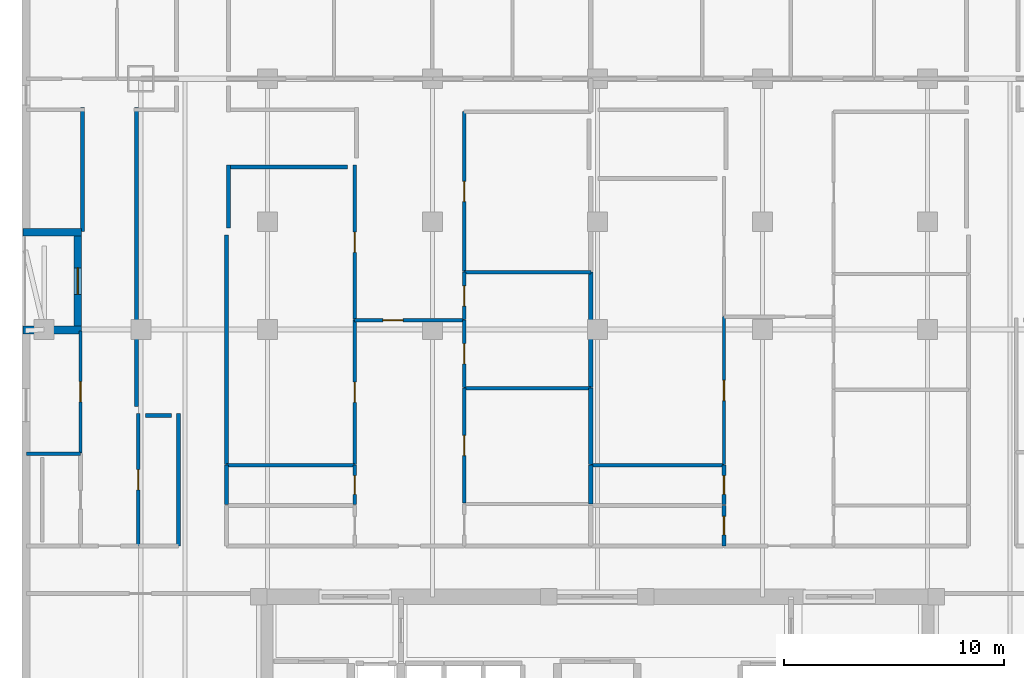
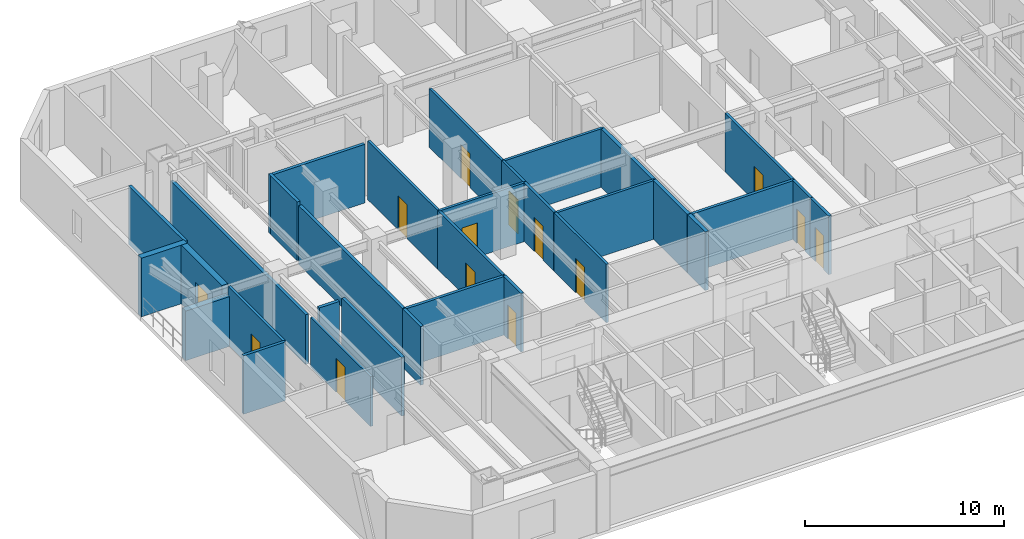
# One storey, part 4 of 10: 32 walls, 14 doors, 14 openings.
"""IFC4 building model written with IfcOpenShell, lengths in metres."""

from ifc_helpers import new_model, si_unit, direction, frame, frame_2d, origin, place, context, subcontext, project, spatial, rectangle, extrude, material, layer, layer_set, type_object, element, fill, save


model = new_model("IFC4")

# Units and contexts
model_context = context("Model", 3, precision=1e-05, world=origin(), true_north=direction((0.0, 1.0)))
body_context = subcontext(model_context, "Body", "Model", "MODEL_VIEW")
ifc_project = project(units=[si_unit("LENGTHUNIT", "METRE"), si_unit("AREAUNIT", "SQUARE_METRE"), si_unit("VOLUMEUNIT", "CUBIC_METRE"), si_unit("PLANEANGLEUNIT", "RADIAN"), si_unit("MASSUNIT", "GRAM", prefix="KILO")], contexts=[model_context])

# Site, building, storey
site_placement = place(None, origin())
site = spatial("IfcSite", under=ifc_project, at=site_placement, CompositionType="ELEMENT")
building_placement = place(site_placement, origin())
building = spatial("IfcBuilding", under=site, at=building_placement, Name="Ventersveld Concourse Tower", CompositionType="ELEMENT")
storey_placement = place(building_placement, frame((0.0, 0.0, 96.449951171875)))
storey = spatial("IfcBuildingStorey", under=building, at=storey_placement, Name="L23", CompositionType="ELEMENT", Elevation=96.449951171875)

# Walls
ifc_material_1 = material(Name="Fire-rated autoclaved aerated masonry blockwork", Category="masonry")
ifc_layer_1 = layer(ifc_material_1, 0.179931640625)
ifc_layer_set_1 = layer_set([ifc_layer_1], Name="Fire-rated autoclaved aerated masonry blockwork")
wall_type_1 = type_object("IfcWallType", Name="WL-CORR-180", PredefinedType="PARTITIONING", material=ifc_layer_set_1)
wall_1_placement = place(storey_placement, frame((9.7099609375, 13.764892578125, 0.0), z_axis=(0.0, 0.0, 1.0), x_axis=(0.0, 1.0, 0.0)))
element("IfcWall", 1, at=wall_1_placement, inside=storey, type_object=wall_type_1, Name="L23 Interior Partition SP-L23-COR-SP-L23-23NW-KIT", PredefinedType="PARTITIONING", context=body_context, shape_type="SweptSolid", body=[
    extrude(rectangle(XDim=6.018798828125, YDim=0.179931640625, at=frame_2d((3.00927734375, 0.0))), origin(), (0.0, 0.0, 1.0), 3.60009765625),
])
wall_2_placement = place(storey_placement, frame((11.889892578125, 15.635009765625, 0.0), z_axis=(0.0, 0.0, 1.0), x_axis=(0.0, 1.0, 0.0)))
element("IfcWall", 2, at=wall_2_placement, inside=storey, type_object=wall_type_1, Name="L23 Interior Partition SP-L23-COR-SP-L23-23N1-PWDL0", PredefinedType="PARTITIONING", context=body_context, shape_type="SweptSolid", body=[
    extrude(rectangle(XDim=1.800048828125, YDim=0.179931640625, at=frame_2d((0.89990234375, 0.0))), origin(), (0.0, 0.0, 1.0), 3.60009765625),
])
wall_3_placement = place(storey_placement, frame((11.889892578125, 17.465087890625, 0.0), z_axis=(0.0, 0.0, 1.0), x_axis=(0.0, 1.0, 0.0)))
element("IfcWall", 3, at=wall_3_placement, inside=storey, type_object=wall_type_1, Name="L23 Interior Partition SP-L23-COR-SP-L23-23N1-DENL", PredefinedType="PARTITIONING", context=body_context, shape_type="SweptSolid", body=[
    extrude(rectangle(XDim=10.429931640625, YDim=0.179931640625, at=frame_2d((5.21484375, 0.0))), origin(), (0.0, 0.0, 1.0), 3.60009765625),
])
wall_4_placement = place(storey_placement, frame((5.346923828125, 28.053466796875, 0.0), z_axis=(0.0, 0.0, 1.0), x_axis=(0.0, 1.0, 0.0)))
element("IfcWall", 4, at=wall_4_placement, inside=storey, type_object=wall_type_1, Name="L23 Room Enclosure Wall SP-L23-23NW-LIV", PredefinedType="PARTITIONING", context=body_context, shape_type="SweptSolid", body=[
    extrude(rectangle(XDim=5.631591796875, YDim=0.179931640625, at=frame_2d((2.81591796875, 0.0))), origin(), (0.0, 0.0, 1.0), 3.60009765625),
])
wall_5_placement = place(storey_placement, frame((7.79296875, 33.68505859375, 0.0), z_axis=(0.0, 0.0, 1.0), x_axis=(0.0, -1.0, 0.0)))
element("IfcWall", 5, at=wall_5_placement, inside=storey, type_object=wall_type_1, Name="L23 Room Enclosure Wall SP-L23-23NW-LIV", PredefinedType="PARTITIONING", context=body_context, shape_type="SweptSolid", body=[
    extrude(rectangle(XDim=13.58642578125, YDim=0.179931640625, at=frame_2d((6.793212890625, 0.0))), origin(), (0.0, 0.0, 1.0), 3.0556640625),
])
wall_6_placement = place(storey_placement, frame((8.2080078125, 19.688720703125, 0.0), z_axis=(0.0, 0.0, 1.0), x_axis=(1.0, 0.0, 0.0)))
element("IfcWall", 6, at=wall_6_placement, inside=storey, type_object=wall_type_1, Name="L23 Room Enclosure Wall SP-L23-23NW-KIT", PredefinedType="PARTITIONING", context=body_context, shape_type="SweptSolid", body=[
    extrude(rectangle(XDim=1.177001953125, YDim=0.179931640625, at=frame_2d((0.58837890625, 0.0))), origin(), (0.0, 0.0, 1.0), 3.60009765625),
])
wall_7_placement = place(storey_placement, frame((11.885009765625, 30.98193359375, 0.0), z_axis=(0.0, 0.0, 1.0), x_axis=(1.0, 0.0, 0.0)))
element("IfcWall", 7, at=wall_7_placement, inside=storey, type_object=wall_type_1, Name="L23 Room Enclosure Wall SP-L23-23N1-DENL", PredefinedType="PARTITIONING", context=body_context, shape_type="SweptSolid", body=[
    extrude(rectangle(XDim=5.50537109375, YDim=0.179931640625, at=frame_2d((2.752685546875, 0.0))), origin(), (0.0, 0.0, 1.0), 3.60009765625),
])
wall_8_placement = place(storey_placement, frame((11.97998046875, 28.2099609375, 0.0), z_axis=(0.0, 0.0, 1.0), x_axis=(0.0, 1.0, 0.0)))
element("IfcWall", 8, at=wall_8_placement, inside=storey, type_object=wall_type_1, Name="L23 Room Enclosure Wall SP-L23-23N1-DENL", PredefinedType="PARTITIONING", context=body_context, shape_type="SweptSolid", body=[
    extrude(rectangle(XDim=2.866943359375, YDim=0.179931640625, at=frame_2d((1.43359375, 0.0))), origin(), (0.0, 0.0, 1.0), 3.60009765625),
])
ifc_layer_2 = layer(ifc_material_1, 0.199951171875)
ifc_layer_set_2 = layer_set([ifc_layer_2], Name="Fire-rated autoclaved aerated masonry blockwork")
wall_type_2 = type_object("IfcWallType", Name="WL-DEMISE-200", PredefinedType="PARTITIONING", material=ifc_layer_set_2)
wall_9_placement = place(storey_placement, frame((28.452880859375, 15.666259765625, 0.0), z_axis=(0.0, 0.0, 1.0), x_axis=(0.0, 1.0, 0.0)))
element("IfcWall", 9, at=wall_9_placement, inside=storey, type_object=wall_type_2, Name="L23 Interior Partition SP-L23-23N1-DENR-SP-L23-23N2-PWDL0", PredefinedType="PARTITIONING", context=body_context, shape_type="SweptSolid", body=[
    extrude(rectangle(XDim=1.768798828125, YDim=0.199951171875, at=frame_2d((0.88427734375, 0.0))), origin(), (0.0, 0.0, 1.0), 3.60009765625),
])
wall_10_placement = place(storey_placement, frame((28.452880859375, 17.465087890625, 0.0), z_axis=(0.0, 0.0, 1.0), x_axis=(0.0, 1.0, 0.0)))
element("IfcWall", 10, at=wall_10_placement, inside=storey, type_object=wall_type_2, Name="L23 Interior Partition SP-L23-23N1-DENR-SP-L23-23N2-DENL", PredefinedType="PARTITIONING", context=body_context, shape_type="SweptSolid", body=[
    extrude(rectangle(XDim=3.474853515625, YDim=0.199951171875, at=frame_2d((1.7373046875, 0.0))), origin(), (0.0, 0.0, 1.0), 3.60009765625),
])
wall_11_placement = place(storey_placement, frame((28.452880859375, 20.969970703125, 0.0), z_axis=(0.0, 0.0, 1.0), x_axis=(0.0, 1.0, 0.0)))
element("IfcWall", 11, at=wall_11_placement, inside=storey, type_object=wall_type_2, Name="L23 Interior Partition SP-L23-23N1-DENS-SP-L23-23N2-DENL", PredefinedType="PARTITIONING", context=body_context, shape_type="SweptSolid", body=[
    extrude(rectangle(XDim=5.233642578125, YDim=0.199951171875, at=frame_2d((2.61669921875, 0.0))), origin(), (0.0, 0.0, 1.0), 3.60009765625),
])

# Wall, opening, door
ifc_material_2 = material(Name="Autoclaved aerated masonry blockwork", Category="masonry")
ifc_layer_3 = layer(ifc_material_2, 0.14990234375)
ifc_layer_set_3 = layer_set([ifc_layer_3], Name="Autoclaved aerated masonry blockwork")
wall_type_3 = type_object("IfcWallType", Name="WL-INT-150", PredefinedType="PARTITIONING", material=ifc_layer_set_3)
wall_12_placement = place(storey_placement, frame((5.257080078125, 17.9921875, 0.0), z_axis=(0.0, 0.0, 1.0), x_axis=(0.0, 1.0, 0.0)))
wall_12 = element("IfcWall", 12, at=wall_12_placement, inside=storey, type_object=wall_type_3, Name="L23 Interior Partition SP-L23-23NW-LIV-SP-L23-23NW-PANL0", PredefinedType="PARTITIONING", context=body_context, shape_type="SweptSolid", body=[
    extrude(rectangle(XDim=5.5478515625, YDim=0.14990234375, at=frame_2d((2.77392578125, 0.0))), origin(), (0.0, 0.0, 1.0), 3.60009765625),
])
opening_1_placement = place(wall_12_placement, frame((2.313720703125, 0.0, 0.0)))
opening_1 = element("IfcOpeningElement", 13, at=opening_1_placement, cuts=wall_12, Name="Opening ID1", PredefinedType="OPENING", context=body_context, shape_type="SweptSolid", body=[
    extrude(rectangle(XDim=0.919921875, YDim=2.10009765625, at=frame_2d((0.4599609375, 1.050048828125))), frame((0.0, 0.0849609375, 0.0), z_axis=(0.0, -1.0, 0.0), x_axis=(1.0, 0.0, 0.0)), (0.0, 0.0, 1.0), 0.169921875),
])
ifc_material_3 = material(Name="Solid-core hardwood veneer timber", Category="wood")
door_type_1 = type_object("IfcDoorType", Name="DR-ROOM-092", OperationType="NOTDEFINED", PredefinedType="DOOR", material=ifc_material_3)
door_1_placement = place(opening_1_placement, origin())
door_1 = element("IfcDoor", 14, at=door_1_placement, inside=storey, type_object=door_type_1, Name="L23 Interior Door SP-L23-23NW-LIV to SP-L23-23NW-PANL0 (D-L23-1123)", OperationType="SINGLE_SWING_LEFT", OverallHeight=2.10009765625, OverallWidth=0.919921875, PredefinedType="DOOR", context=body_context, shape_type="SweptSolid", body=[
    extrude(rectangle(XDim=0.919921875, YDim=2.10009765625, at=frame_2d((0.4599609375, 1.050048828125))), frame((0.0, 0.02490234375, 0.0), z_axis=(0.0, -1.0, 0.0), x_axis=(1.0, 0.0, 0.0)), (0.0, 0.0, 1.0), 0.050048828125),
])
fill(opening_1, door_1)

wall_13_placement = place(storey_placement, frame((7.883056640625, 13.764892578125, 0.0), z_axis=(0.0, 0.0, 1.0), x_axis=(0.0, 1.0, 0.0)))
wall_13 = element("IfcWall", 15, at=wall_13_placement, inside=storey, type_object=wall_type_3, Name="L23 Interior Partition SP-L23-23NW-LIV-SP-L23-23NW-KIT", PredefinedType="PARTITIONING", context=body_context, shape_type="SweptSolid", body=[
    extrude(rectangle(XDim=6.018798828125, YDim=0.14990234375, at=frame_2d((3.00927734375, 0.0))), origin(), (0.0, 0.0, 1.0), 3.0556640625),
])
opening_2_placement = place(wall_13_placement, frame((2.54931640625, 0.0, 0.0)))
opening_2 = element("IfcOpeningElement", 16, at=opening_2_placement, cuts=wall_13, Name="Opening ID1", PredefinedType="OPENING", context=body_context, shape_type="SweptSolid", body=[
    extrude(rectangle(XDim=0.919921875, YDim=2.10009765625, at=frame_2d((0.4599609375, 1.050048828125))), frame((0.0, 0.0849609375, 0.0), z_axis=(0.0, -1.0, 0.0), x_axis=(1.0, 0.0, 0.0)), (0.0, 0.0, 1.0), 0.169921875),
])
door_2_placement = place(opening_2_placement, origin())
door_2 = element("IfcDoor", 17, at=door_2_placement, inside=storey, type_object=door_type_1, Name="L23 Interior Door SP-L23-23NW-LIV to SP-L23-23NW-KIT (D-L23-1124)", OperationType="SINGLE_SWING_RIGHT", OverallHeight=2.10009765625, OverallWidth=0.919921875, PredefinedType="DOOR", context=body_context, shape_type="SweptSolid", body=[
    extrude(rectangle(XDim=0.919921875, YDim=2.10009765625, at=frame_2d((0.4599609375, 1.050048828125))), frame((0.0, 0.02490234375, 0.0), z_axis=(0.0, -1.0, 0.0), x_axis=(1.0, 0.0, 0.0)), (0.0, 0.0, 1.0), 0.050048828125),
])
fill(opening_2, door_2)

wall_14_placement = place(storey_placement, frame((17.71044921875, 24.0185546875, 0.0), z_axis=(0.0, 0.0, 1.0), x_axis=(1.0, 0.0, 0.0)))
wall_14 = element("IfcWall", 18, at=wall_14_placement, inside=storey, type_object=wall_type_3, Name="L23 Interior Partition SP-L23-23N1-FOY-SP-L23-23N1-LIV", PredefinedType="PARTITIONING", context=body_context, shape_type="SweptSolid", body=[
    extrude(rectangle(XDim=4.989990234375, YDim=0.14990234375, at=frame_2d((2.4951171875, 0.0))), origin(), (0.0, 0.0, 1.0), 3.60009765625),
])
opening_3_placement = place(wall_14_placement, frame((1.28662109375, 0.0, 0.0)))
opening_3 = element("IfcOpeningElement", 19, at=opening_3_placement, cuts=wall_14, Name="Opening ID1", PredefinedType="OPENING", context=body_context, shape_type="SweptSolid", body=[
    extrude(rectangle(XDim=0.919921875, YDim=2.10009765625, at=frame_2d((0.4599609375, 1.050048828125))), frame((0.0, 0.0849609375, 0.0), z_axis=(0.0, -1.0, 0.0), x_axis=(1.0, 0.0, 0.0)), (0.0, 0.0, 1.0), 0.169921875),
])
door_3_placement = place(opening_3_placement, origin())
door_3 = element("IfcDoor", 20, at=door_3_placement, inside=storey, type_object=door_type_1, Name="L23 Interior Door SP-L23-23N1-FOY to SP-L23-23N1-LIV (D-L23-1132)", OperationType="SINGLE_SWING_RIGHT", OverallHeight=2.10009765625, OverallWidth=0.919921875, PredefinedType="DOOR", context=body_context, shape_type="SweptSolid", body=[
    extrude(rectangle(XDim=0.919921875, YDim=2.10009765625, at=frame_2d((0.4599609375, 1.050048828125))), frame((0.0, 0.02490234375, 0.0), z_axis=(0.0, -1.0, 0.0), x_axis=(1.0, 0.0, 0.0)), (0.0, 0.0, 1.0), 0.050048828125),
])
fill(opening_3, door_3)

wall_15_placement = place(storey_placement, frame((17.715576171875, 17.465087890625, 0.0), z_axis=(0.0, 0.0, 1.0), x_axis=(0.0, 1.0, 0.0)))
wall_15 = element("IfcWall", 21, at=wall_15_placement, inside=storey, type_object=wall_type_3, Name="L23 Interior Partition SP-L23-23N1-FOY-SP-L23-23N1-DENL", PredefinedType="PARTITIONING", context=body_context, shape_type="SweptSolid", body=[
    extrude(rectangle(XDim=6.55859375, YDim=0.14990234375, at=frame_2d((3.279296875, 0.0))), origin(), (0.0, 0.0, 1.0), 3.60009765625),
])
opening_4_placement = place(wall_15_placement, frame((2.8193359375, 0.0, 0.0)))
opening_4 = element("IfcOpeningElement", 22, at=opening_4_placement, cuts=wall_15, Name="Opening ID1", PredefinedType="OPENING", context=body_context, shape_type="SweptSolid", body=[
    extrude(rectangle(XDim=0.919921875, YDim=2.10009765625, at=frame_2d((0.4599609375, 1.050048828125))), frame((0.0, 0.0849609375, 0.0), z_axis=(0.0, -1.0, 0.0), x_axis=(1.0, 0.0, 0.0)), (0.0, 0.0, 1.0), 0.169921875),
])
door_4_placement = place(opening_4_placement, origin())
door_4 = element("IfcDoor", 23, at=door_4_placement, inside=storey, type_object=door_type_1, Name="L23 Interior Door SP-L23-23N1-FOY to SP-L23-23N1-DENL (D-L23-1135)", OperationType="SINGLE_SWING_LEFT", OverallHeight=2.10009765625, OverallWidth=0.919921875, PredefinedType="DOOR", context=body_context, shape_type="SweptSolid", body=[
    extrude(rectangle(XDim=0.919921875, YDim=2.10009765625, at=frame_2d((0.4599609375, 1.050048828125))), frame((0.0, 0.02490234375, 0.0), z_axis=(0.0, -1.0, 0.0), x_axis=(1.0, 0.0, 0.0)), (0.0, 0.0, 1.0), 0.050048828125),
])
fill(opening_4, door_4)

wall_16_placement = place(storey_placement, frame((22.695556640625, 15.706298828125, 0.0), z_axis=(0.0, 0.0, 1.0), x_axis=(0.0, 1.0, 0.0)))
wall_16 = element("IfcWall", 24, at=wall_16_placement, inside=storey, type_object=wall_type_3, Name="L23 Interior Partition SP-L23-23N1-FOY-SP-L23-23N1-DENR", PredefinedType="PARTITIONING", context=body_context, shape_type="SweptSolid", body=[
    extrude(rectangle(XDim=5.233642578125, YDim=0.14990234375, at=frame_2d((2.61669921875, 0.0))), origin(), (0.0, 0.0, 1.0), 3.60009765625),
])
opening_5_placement = place(wall_16_placement, frame((2.156982421875, 0.0, 0.0)))
opening_5 = element("IfcOpeningElement", 25, at=opening_5_placement, cuts=wall_16, Name="Opening ID1", PredefinedType="OPENING", context=body_context, shape_type="SweptSolid", body=[
    extrude(rectangle(XDim=0.919921875, YDim=2.10009765625, at=frame_2d((0.4599609375, 1.050048828125))), frame((0.0, 0.0849609375, 0.0), z_axis=(0.0, -1.0, 0.0), x_axis=(1.0, 0.0, 0.0)), (0.0, 0.0, 1.0), 0.169921875),
])
door_5_placement = place(opening_5_placement, origin())
door_5 = element("IfcDoor", 26, at=door_5_placement, inside=storey, type_object=door_type_1, Name="L23 Interior Door SP-L23-23N1-FOY to SP-L23-23N1-DENR (D-L23-1137)", OperationType="SINGLE_SWING_LEFT", OverallHeight=2.10009765625, OverallWidth=0.919921875, PredefinedType="DOOR", context=body_context, shape_type="SweptSolid", body=[
    extrude(rectangle(XDim=0.919921875, YDim=2.10009765625, at=frame_2d((0.4599609375, 1.050048828125))), frame((0.0, 0.02490234375, 0.0), z_axis=(0.0, -1.0, 0.0), x_axis=(1.0, 0.0, 0.0)), (0.0, 0.0, 1.0), 0.050048828125),
])
fill(opening_5, door_5)

wall_17_placement = place(storey_placement, frame((22.695556640625, 20.969970703125, 0.0), z_axis=(0.0, 0.0, 1.0), x_axis=(0.0, 1.0, 0.0)))
wall_17 = element("IfcWall", 27, at=wall_17_placement, inside=storey, type_object=wall_type_3, Name="L23 Interior Partition SP-L23-23N1-FOY-SP-L23-23N1-DENS", PredefinedType="PARTITIONING", context=body_context, shape_type="SweptSolid", body=[
    extrude(rectangle(XDim=3.0537109375, YDim=0.14990234375, at=frame_2d((1.52685546875, 0.0))), origin(), (0.0, 0.0, 1.0), 3.60009765625),
])
opening_6_placement = place(wall_17_placement, frame((1.06689453125, 0.0, 0.0)))
opening_6 = element("IfcOpeningElement", 28, at=opening_6_placement, cuts=wall_17, Name="Opening ID1", PredefinedType="OPENING", context=body_context, shape_type="SweptSolid", body=[
    extrude(rectangle(XDim=0.919921875, YDim=2.10009765625, at=frame_2d((0.4599609375, 1.050048828125))), frame((0.0, 0.0849609375, 0.0), z_axis=(0.0, -1.0, 0.0), x_axis=(1.0, 0.0, 0.0)), (0.0, 0.0, 1.0), 0.169921875),
])
door_6_placement = place(opening_6_placement, origin())
door_6 = element("IfcDoor", 29, at=door_6_placement, inside=storey, type_object=door_type_1, Name="L23 Interior Door SP-L23-23N1-FOY to SP-L23-23N1-DENS (D-L23-1138)", OperationType="SINGLE_SWING_RIGHT", OverallHeight=2.10009765625, OverallWidth=0.919921875, PredefinedType="DOOR", context=body_context, shape_type="SweptSolid", body=[
    extrude(rectangle(XDim=0.919921875, YDim=2.10009765625, at=frame_2d((0.4599609375, 1.050048828125))), frame((0.0, 0.02490234375, 0.0), z_axis=(0.0, -1.0, 0.0), x_axis=(1.0, 0.0, 0.0)), (0.0, 0.0, 1.0), 0.050048828125),
])
fill(opening_6, door_6)

wall_18_placement = place(storey_placement, frame((17.715576171875, 24.0537109375, 0.0), z_axis=(0.0, 0.0, 1.0), x_axis=(0.0, 1.0, 0.0)))
wall_18 = element("IfcWall", 30, at=wall_18_placement, inside=storey, type_object=wall_type_3, Name="L23 Interior Partition SP-L23-23N1-LIV-SP-L23-23N1-DENL", PredefinedType="PARTITIONING", context=body_context, shape_type="SweptSolid", body=[
    extrude(rectangle(XDim=7.023193359375, YDim=0.14990234375, at=frame_2d((3.51171875, 0.0))), origin(), (0.0, 0.0, 1.0), 3.60009765625),
])
opening_7_placement = place(wall_18_placement, frame((3.0517578125, 0.0, 0.0)))
opening_7 = element("IfcOpeningElement", 31, at=opening_7_placement, cuts=wall_18, Name="Opening ID1", PredefinedType="OPENING", context=body_context, shape_type="SweptSolid", body=[
    extrude(rectangle(XDim=0.919921875, YDim=2.10009765625, at=frame_2d((0.4599609375, 1.050048828125))), frame((0.0, 0.0849609375, 0.0), z_axis=(0.0, -1.0, 0.0), x_axis=(1.0, 0.0, 0.0)), (0.0, 0.0, 1.0), 0.169921875),
])
door_7_placement = place(opening_7_placement, origin())
door_7 = element("IfcDoor", 32, at=door_7_placement, inside=storey, type_object=door_type_1, Name="L23 Interior Door SP-L23-23N1-LIV to SP-L23-23N1-DENL (D-L23-1139)", OperationType="SINGLE_SWING_LEFT", OverallHeight=2.10009765625, OverallWidth=0.919921875, PredefinedType="DOOR", context=body_context, shape_type="SweptSolid", body=[
    extrude(rectangle(XDim=0.919921875, YDim=2.10009765625, at=frame_2d((0.4599609375, 1.050048828125))), frame((0.0, 0.02490234375, 0.0), z_axis=(0.0, -1.0, 0.0), x_axis=(1.0, 0.0, 0.0)), (0.0, 0.0, 1.0), 0.050048828125),
])
fill(opening_7, door_7)

wall_19_placement = place(storey_placement, frame((22.695556640625, 24.0537109375, 0.0), z_axis=(0.0, 0.0, 1.0), x_axis=(0.0, 1.0, 0.0)))
wall_19 = element("IfcWall", 33, at=wall_19_placement, inside=storey, type_object=wall_type_3, Name="L23 Interior Partition SP-L23-23N1-LIV-SP-L23-23N1-DENS", PredefinedType="PARTITIONING", context=body_context, shape_type="SweptSolid", body=[
    extrude(rectangle(XDim=2.14990234375, YDim=0.14990234375, at=frame_2d((1.074951171875, 0.0))), origin(), (0.0, 0.0, 1.0), 3.60009765625),
])
opening_8_placement = place(wall_19_placement, frame((0.614990234375, 0.0, 0.0)))
opening_8 = element("IfcOpeningElement", 34, at=opening_8_placement, cuts=wall_19, Name="Opening ID1", PredefinedType="OPENING", context=body_context, shape_type="SweptSolid", body=[
    extrude(rectangle(XDim=0.919921875, YDim=2.10009765625, at=frame_2d((0.4599609375, 1.050048828125))), frame((0.0, 0.0849609375, 0.0), z_axis=(0.0, -1.0, 0.0), x_axis=(1.0, 0.0, 0.0)), (0.0, 0.0, 1.0), 0.169921875),
])
door_8_placement = place(opening_8_placement, origin())
door_8 = element("IfcDoor", 35, at=door_8_placement, inside=storey, type_object=door_type_1, Name="L23 Interior Door SP-L23-23N1-LIV to SP-L23-23N1-DENS (D-L23-1140)", OperationType="SINGLE_SWING_RIGHT", OverallHeight=2.10009765625, OverallWidth=0.919921875, PredefinedType="DOOR", context=body_context, shape_type="SweptSolid", body=[
    extrude(rectangle(XDim=0.919921875, YDim=2.10009765625, at=frame_2d((0.4599609375, 1.050048828125))), frame((0.0, 0.02490234375, 0.0), z_axis=(0.0, -1.0, 0.0), x_axis=(1.0, 0.0, 0.0)), (0.0, 0.0, 1.0), 0.050048828125),
])
fill(opening_8, door_8)

wall_20_placement = place(storey_placement, frame((22.695556640625, 26.233642578125, 0.0), z_axis=(0.0, 0.0, 1.0), x_axis=(0.0, 1.0, 0.0)))
wall_20 = element("IfcWall", 36, at=wall_20_placement, inside=storey, type_object=wall_type_3, Name="L23 Interior Partition SP-L23-23N1-LIV-SP-L23-23N1-DENS2", PredefinedType="PARTITIONING", context=body_context, shape_type="SweptSolid", body=[
    extrude(rectangle(XDim=7.271240234375, YDim=0.14990234375, at=frame_2d((3.6357421875, 0.0))), origin(), (0.0, 0.0, 1.0), 3.60009765625),
])
opening_9_placement = place(wall_20_placement, frame((3.17578125, 0.0, 0.0)))
opening_9 = element("IfcOpeningElement", 37, at=opening_9_placement, cuts=wall_20, Name="Opening ID1", PredefinedType="OPENING", context=body_context, shape_type="SweptSolid", body=[
    extrude(rectangle(XDim=0.919921875, YDim=2.10009765625, at=frame_2d((0.4599609375, 1.050048828125))), frame((0.0, 0.0849609375, 0.0), z_axis=(0.0, -1.0, 0.0), x_axis=(1.0, 0.0, 0.0)), (0.0, 0.0, 1.0), 0.169921875),
])
door_9_placement = place(opening_9_placement, origin())
door_9 = element("IfcDoor", 38, at=door_9_placement, inside=storey, type_object=door_type_1, Name="L23 Interior Door SP-L23-23N1-LIV to SP-L23-23N1-DENS2 (D-L23-1141)", OperationType="SINGLE_SWING_LEFT", OverallHeight=2.10009765625, OverallWidth=0.919921875, PredefinedType="DOOR", context=body_context, shape_type="SweptSolid", body=[
    extrude(rectangle(XDim=0.919921875, YDim=2.10009765625, at=frame_2d((0.4599609375, 1.050048828125))), frame((0.0, 0.02490234375, 0.0), z_axis=(0.0, -1.0, 0.0), x_axis=(1.0, 0.0, 0.0)), (0.0, 0.0, 1.0), 0.050048828125),
])
fill(opening_9, door_9)

# Walls
for number, where, z_axis, x_axis, name in (
    (39, (22.6904296875, 20.934814453125, 0.0), (0.0, 0.0, 1.0), (1.0, 0.0, 0.0), "L23 Interior Partition SP-L23-23N1-DENR-SP-L23-23N1-DENS"),
    (40, (22.6904296875, 26.198486328125, 0.0), (0.0, 0.0, 1.0), (1.0, 0.0, 0.0), "L23 Interior Partition SP-L23-23N1-DENS-SP-L23-23N1-DENS2"),
):
    element("IfcWall", number, at=place(storey_placement, frame(where, z_axis=z_axis, x_axis=x_axis)), inside=storey, type_object=wall_type_3, Name=name, PredefinedType="PARTITIONING", context=body_context, shape_type="SweptSolid", body=[
        extrude(rectangle(XDim=5.767578125, YDim=0.14990234375, at=frame_2d((2.8837890625, 0.0))), origin(), (0.0, 0.0, 1.0), 3.60009765625),
    ])

# Wall, opening, door
wall_21_placement = place(storey_placement, frame((34.506103515625, 17.465087890625, 0.0), z_axis=(0.0, 0.0, 1.0), x_axis=(0.0, 1.0, 0.0)))
wall_21 = element("IfcWall", 41, at=wall_21_placement, inside=storey, type_object=wall_type_3, Name="L23 Interior Partition SP-L23-23N2-FOY-SP-L23-23N2-DENL", PredefinedType="PARTITIONING", context=body_context, shape_type="SweptSolid", body=[
    extrude(rectangle(XDim=6.721923828125, YDim=0.14990234375, at=frame_2d((3.36083984375, 0.0))), origin(), (0.0, 0.0, 1.0), 3.60009765625),
])
opening_10_placement = place(wall_21_placement, frame((2.90087890625, 0.0, 0.0)))
opening_10 = element("IfcOpeningElement", 42, at=opening_10_placement, cuts=wall_21, Name="Opening ID1", PredefinedType="OPENING", context=body_context, shape_type="SweptSolid", body=[
    extrude(rectangle(XDim=0.919921875, YDim=2.10009765625, at=frame_2d((0.4599609375, 1.050048828125))), frame((0.0, 0.0849609375, 0.0), z_axis=(0.0, -1.0, 0.0), x_axis=(1.0, 0.0, 0.0)), (0.0, 0.0, 1.0), 0.169921875),
])
door_10_placement = place(opening_10_placement, origin())
door_10 = element("IfcDoor", 43, at=door_10_placement, inside=storey, type_object=door_type_1, Name="L23 Interior Door SP-L23-23N2-FOY to SP-L23-23N2-DENL (D-L23-1149)", OperationType="SINGLE_SWING_LEFT", OverallHeight=2.10009765625, OverallWidth=0.919921875, PredefinedType="DOOR", context=body_context, shape_type="SweptSolid", body=[
    extrude(rectangle(XDim=0.919921875, YDim=2.10009765625, at=frame_2d((0.4599609375, 1.050048828125))), frame((0.0, 0.02490234375, 0.0), z_axis=(0.0, -1.0, 0.0), x_axis=(1.0, 0.0, 0.0)), (0.0, 0.0, 1.0), 0.050048828125),
])
fill(opening_10, door_10)

# Wall
ifc_material_4 = material(Name="Precast concrete C45/55", Category="concrete")
ifc_layer_4 = layer(ifc_material_4, 0.35009765625)
ifc_layer_set_4 = layer_set([ifc_layer_4], Name="Precast concrete C45/55")
wall_type_4 = type_object("IfcWallType", Name="WL-PREC-350", PredefinedType="SOLIDWALL", material=ifc_layer_set_4)
wall_22_placement = place(storey_placement, frame((2.639892578125, 28.02490234375, 0.0), z_axis=(0.0, 0.0, 1.0), x_axis=(1.0, 0.0, 0.0)))
element("IfcWall", 44, at=wall_22_placement, inside=storey, type_object=wall_type_4, Name="L23 Highveld Precast Facade Wall E12", PredefinedType="SOLIDWALL", context=body_context, shape_type="SweptSolid", body=[
    extrude(rectangle(XDim=2.66015625, YDim=0.35009765625, at=frame_2d((1.330078125, 0.0))), origin(), (0.0, 0.0, 1.0), 3.60009765625),
])

# Wall, opening, door
wall_23_placement = place(storey_placement, frame((5.125, 27.85009765625, 0.0), z_axis=(0.0, 0.0, 1.0), x_axis=(0.0, -1.0, 0.0)))
wall_23 = element("IfcWall", 45, at=wall_23_placement, inside=storey, type_object=wall_type_4, Name="L23 Highveld Precast Facade Wall E13", PredefinedType="SOLIDWALL", context=body_context, shape_type="SweptSolid", body=[
    extrude(rectangle(XDim=4.10009765625, YDim=0.35009765625, at=frame_2d((2.050048828125, 0.0))), origin(), (0.0, 0.0, 1.0), 3.60009765625),
])
opening_11_placement = place(wall_23_placement, frame((1.449951171875, 0.0, 0.0)))
opening_11 = element("IfcOpeningElement", 46, at=opening_11_placement, cuts=wall_23, Name="Opening TD1", PredefinedType="OPENING", context=body_context, shape_type="SweptSolid", body=[
    extrude(rectangle(XDim=1.199951171875, YDim=2.199951171875, at=frame_2d((0.60009765625, 1.10009765625))), frame((0.0, 0.18505859375, 0.0), z_axis=(0.0, -1.0, 0.0), x_axis=(1.0, 0.0, 0.0)), (0.0, 0.0, 1.0), 0.3701171875),
])
ifc_material_5 = material(Name="Anodised aluminium EN AW-6063-T6", Category="aluminium")
door_type_2 = type_object("IfcDoorType", Name="DR-TERR-120", OperationType="NOTDEFINED", PredefinedType="DOOR", material=ifc_material_5)
door_11_placement = place(opening_11_placement, frame((1.199951171875, 0.0, 0.0), z_axis=(0.0, 0.0, 1.0), x_axis=(-1.0, 0.0, 0.0)))
door_11 = element("IfcDoor", 47, at=door_11_placement, inside=storey, type_object=door_type_2, Name="L23 Stepped Valley Terrace Door TD-L23-01", OperationType="SINGLE_SWING_RIGHT", OverallHeight=2.199951171875, OverallWidth=1.199951171875, PredefinedType="DOOR", context=body_context, shape_type="SweptSolid", body=[
    extrude(rectangle(XDim=1.199951171875, YDim=2.199951171875, at=frame_2d((0.60009765625, 1.10009765625))), frame((0.0, 0.02490234375, 0.0), z_axis=(0.0, -1.0, 0.0), x_axis=(1.0, 0.0, 0.0)), (0.0, 0.0, 1.0), 0.050048828125),
])
fill(opening_11, door_11)

# Walls
wall_24_placement = place(storey_placement, frame((5.300048828125, 23.574951171875, 0.0), z_axis=(0.0, 0.0, 1.0), x_axis=(-1.0, 0.0, 0.0)))
element("IfcWall", 48, at=wall_24_placement, inside=storey, type_object=wall_type_4, Name="L23 Highveld Precast Facade Wall E14", PredefinedType="SOLIDWALL", context=body_context, shape_type="SweptSolid", body=[
    extrude(rectangle(XDim=2.66015625, YDim=0.35009765625, at=frame_2d((1.330078125, 0.0))), origin(), (0.0, 0.0, 1.0), 3.0556640625),
])
ifc_layer_5 = layer(ifc_material_2, 0.1650390625)
ifc_layer_set_5 = layer_set([ifc_layer_5], Name="Autoclaved aerated masonry blockwork")
wall_type_5 = type_object("IfcWallType", Name="WL-WET-165", PredefinedType="PLUMBINGWALL", material=ifc_layer_set_5)
wall_25_placement = place(storey_placement, frame((2.81005859375, 17.957275390625, 0.0), z_axis=(0.0, 0.0, 1.0), x_axis=(1.0, 0.0, 0.0)))
element("IfcWall", 49, at=wall_25_placement, inside=storey, type_object=wall_type_5, Name="L23 Interior Partition SP-L23-23NW-BATH-SP-L23-23NW-PANL0", PredefinedType="PLUMBINGWALL", context=body_context, shape_type="SweptSolid", body=[
    extrude(rectangle(XDim=2.451904296875, YDim=0.1650390625, at=frame_2d((1.22607421875, 0.0))), origin(), (0.0, 0.0, 1.0), 3.60009765625),
])

# Wall, opening, door
wall_26_placement = place(storey_placement, frame((17.715576171875, 15.635009765625, 0.0), z_axis=(0.0, 0.0, 1.0), x_axis=(0.0, 1.0, 0.0)))
wall_26 = element("IfcWall", 50, at=wall_26_placement, inside=storey, type_object=wall_type_5, Name="L23 Interior Partition SP-L23-23N1-FOY-SP-L23-23N1-PWDL0", PredefinedType="PLUMBINGWALL", context=body_context, shape_type="SweptSolid", body=[
    extrude(rectangle(XDim=1.800048828125, YDim=0.1650390625, at=frame_2d((0.89990234375, 0.0))), origin(), (0.0, 0.0, 1.0), 3.60009765625),
])
opening_12_placement = place(wall_26_placement, frame((0.47509765625, 0.0, 0.0)))
opening_12 = element("IfcOpeningElement", 51, at=opening_12_placement, cuts=wall_26, Name="Opening ID2", PredefinedType="OPENING", context=body_context, shape_type="SweptSolid", body=[
    extrude(rectangle(XDim=0.85009765625, YDim=2.10009765625, at=frame_2d((0.425048828125, 1.050048828125))), frame((0.0, 0.092529296875, 0.0), z_axis=(0.0, -1.0, 0.0), x_axis=(1.0, 0.0, 0.0)), (0.0, 0.0, 1.0), 0.18505859375),
])
door_type_3 = type_object("IfcDoorType", Name="DR-BATH-085", OperationType="NOTDEFINED", PredefinedType="DOOR", material=ifc_material_3)
door_12_placement = place(opening_12_placement, origin())
door_12 = element("IfcDoor", 52, at=door_12_placement, inside=storey, type_object=door_type_3, Name="L23 Interior Door SP-L23-23N1-FOY to SP-L23-23N1-PWDL0 (D-L23-1134)", OperationType="SINGLE_SWING_RIGHT", OverallHeight=2.10009765625, OverallWidth=0.85009765625, PredefinedType="DOOR", context=body_context, shape_type="SweptSolid", body=[
    extrude(rectangle(XDim=0.85009765625, YDim=2.10009765625, at=frame_2d((0.425048828125, 1.050048828125))), frame((0.0, 0.02490234375, 0.0), z_axis=(0.0, -1.0, 0.0), x_axis=(1.0, 0.0, 0.0)), (0.0, 0.0, 1.0), 0.050048828125),
])
fill(opening_12, door_12)

# Wall
wall_27_placement = place(storey_placement, frame((11.885009765625, 17.429931640625, 0.0), z_axis=(0.0, 0.0, 1.0), x_axis=(1.0, 0.0, 0.0)))
element("IfcWall", 53, at=wall_27_placement, inside=storey, type_object=wall_type_5, Name="L23 Interior Partition SP-L23-23N1-PWDL0-SP-L23-23N1-DENL", PredefinedType="PLUMBINGWALL", context=body_context, shape_type="SweptSolid", body=[
    extrude(rectangle(XDim=5.83544921875, YDim=0.1650390625, at=frame_2d((2.917724609375, 0.0))), origin(), (0.0, 0.0, 1.0), 3.60009765625),
])

# Wall, opening, door
wall_28_placement = place(storey_placement, frame((34.506103515625, 13.764892578125, 0.0), z_axis=(0.0, 0.0, 1.0), x_axis=(0.0, 1.0, 0.0)))
wall_28 = element("IfcWall", 54, at=wall_28_placement, inside=storey, type_object=wall_type_5, Name="L23 Interior Partition SP-L23-23N2-FOY-SP-L23-23N2-BATH", PredefinedType="PLUMBINGWALL", context=body_context, shape_type="SweptSolid", body=[
    extrude(rectangle(XDim=1.840087890625, YDim=0.1650390625, at=frame_2d((0.919921875, 0.0))), origin(), (0.0, 0.0, 1.0), 3.60009765625),
])
opening_13_placement = place(wall_28_placement, frame((0.4951171875, 0.0, 0.0)))
opening_13 = element("IfcOpeningElement", 55, at=opening_13_placement, cuts=wall_28, Name="Opening ID2", PredefinedType="OPENING", context=body_context, shape_type="SweptSolid", body=[
    extrude(rectangle(XDim=0.85009765625, YDim=2.10009765625, at=frame_2d((0.425048828125, 1.050048828125))), frame((0.0, 0.092529296875, 0.0), z_axis=(0.0, -1.0, 0.0), x_axis=(1.0, 0.0, 0.0)), (0.0, 0.0, 1.0), 0.18505859375),
])
door_13_placement = place(opening_13_placement, origin())
door_13 = element("IfcDoor", 56, at=door_13_placement, inside=storey, type_object=door_type_3, Name="L23 Interior Door SP-L23-23N2-FOY to SP-L23-23N2-BATH (D-L23-1147)", OperationType="SINGLE_SWING_LEFT", OverallHeight=2.10009765625, OverallWidth=0.85009765625, PredefinedType="DOOR", context=body_context, shape_type="SweptSolid", body=[
    extrude(rectangle(XDim=0.85009765625, YDim=2.10009765625, at=frame_2d((0.425048828125, 1.050048828125))), frame((0.0, 0.02490234375, 0.0), z_axis=(0.0, -1.0, 0.0), x_axis=(1.0, 0.0, 0.0)), (0.0, 0.0, 1.0), 0.050048828125),
])
fill(opening_13, door_13)

wall_29_placement = place(storey_placement, frame((34.506103515625, 15.635009765625, 0.0), z_axis=(0.0, 0.0, 1.0), x_axis=(0.0, 1.0, 0.0)))
wall_29 = element("IfcWall", 57, at=wall_29_placement, inside=storey, type_object=wall_type_5, Name="L23 Interior Partition SP-L23-23N2-FOY-SP-L23-23N2-PWDL0", PredefinedType="PLUMBINGWALL", context=body_context, shape_type="SweptSolid", body=[
    extrude(rectangle(XDim=1.800048828125, YDim=0.1650390625, at=frame_2d((0.89990234375, 0.0))), origin(), (0.0, 0.0, 1.0), 3.60009765625),
])
opening_14_placement = place(wall_29_placement, frame((0.47509765625, 0.0, 0.0)))
opening_14 = element("IfcOpeningElement", 58, at=opening_14_placement, cuts=wall_29, Name="Opening ID2", PredefinedType="OPENING", context=body_context, shape_type="SweptSolid", body=[
    extrude(rectangle(XDim=0.85009765625, YDim=2.10009765625, at=frame_2d((0.425048828125, 1.050048828125))), frame((0.0, 0.092529296875, 0.0), z_axis=(0.0, -1.0, 0.0), x_axis=(1.0, 0.0, 0.0)), (0.0, 0.0, 1.0), 0.18505859375),
])
door_14_placement = place(opening_14_placement, origin())
door_14 = element("IfcDoor", 59, at=door_14_placement, inside=storey, type_object=door_type_3, Name="L23 Interior Door SP-L23-23N2-FOY to SP-L23-23N2-PWDL0 (D-L23-1148)", OperationType="SINGLE_SWING_RIGHT", OverallHeight=2.10009765625, OverallWidth=0.85009765625, PredefinedType="DOOR", context=body_context, shape_type="SweptSolid", body=[
    extrude(rectangle(XDim=0.85009765625, YDim=2.10009765625, at=frame_2d((0.425048828125, 1.050048828125))), frame((0.0, 0.02490234375, 0.0), z_axis=(0.0, -1.0, 0.0), x_axis=(1.0, 0.0, 0.0)), (0.0, 0.0, 1.0), 0.050048828125),
])
fill(opening_14, door_14)

# Wall
wall_30_placement = place(storey_placement, frame((28.447998046875, 17.429931640625, 0.0), z_axis=(0.0, 0.0, 1.0), x_axis=(1.0, 0.0, 0.0)))
element("IfcWall", 60, at=wall_30_placement, inside=storey, type_object=wall_type_5, Name="L23 Interior Partition SP-L23-23N2-PWDL0-SP-L23-23N2-DENL", PredefinedType="PLUMBINGWALL", context=body_context, shape_type="SweptSolid", body=[
    extrude(rectangle(XDim=6.06298828125, YDim=0.1650390625, at=frame_2d((3.031494140625, 0.0))), origin(), (0.0, 0.0, 1.0), 3.60009765625),
])

save(model, "model.ifc")
